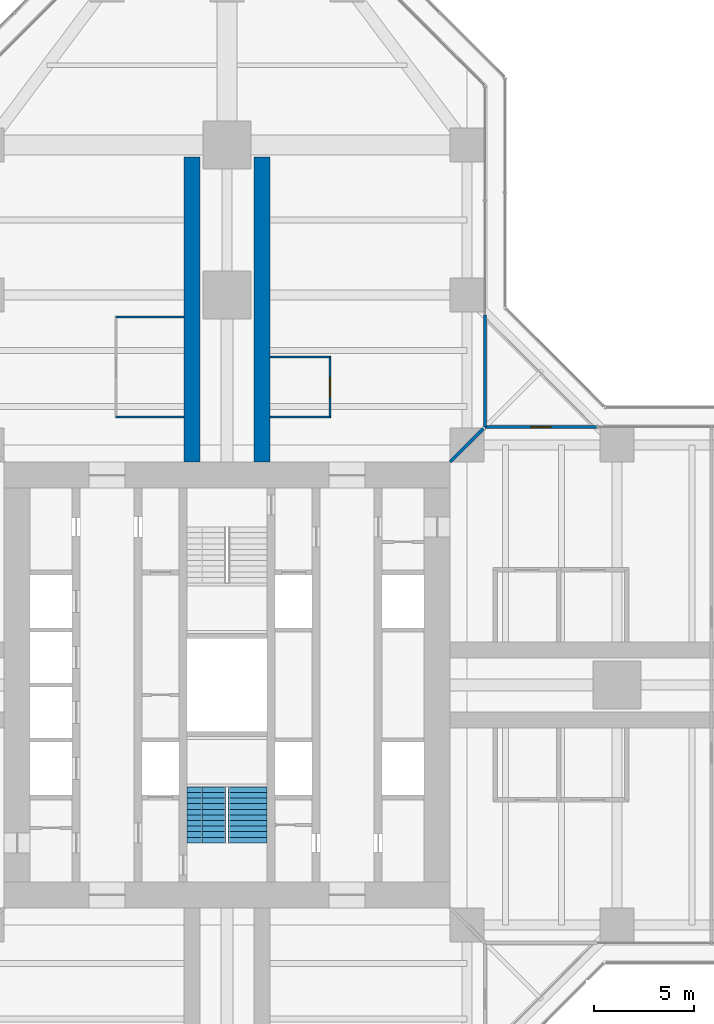
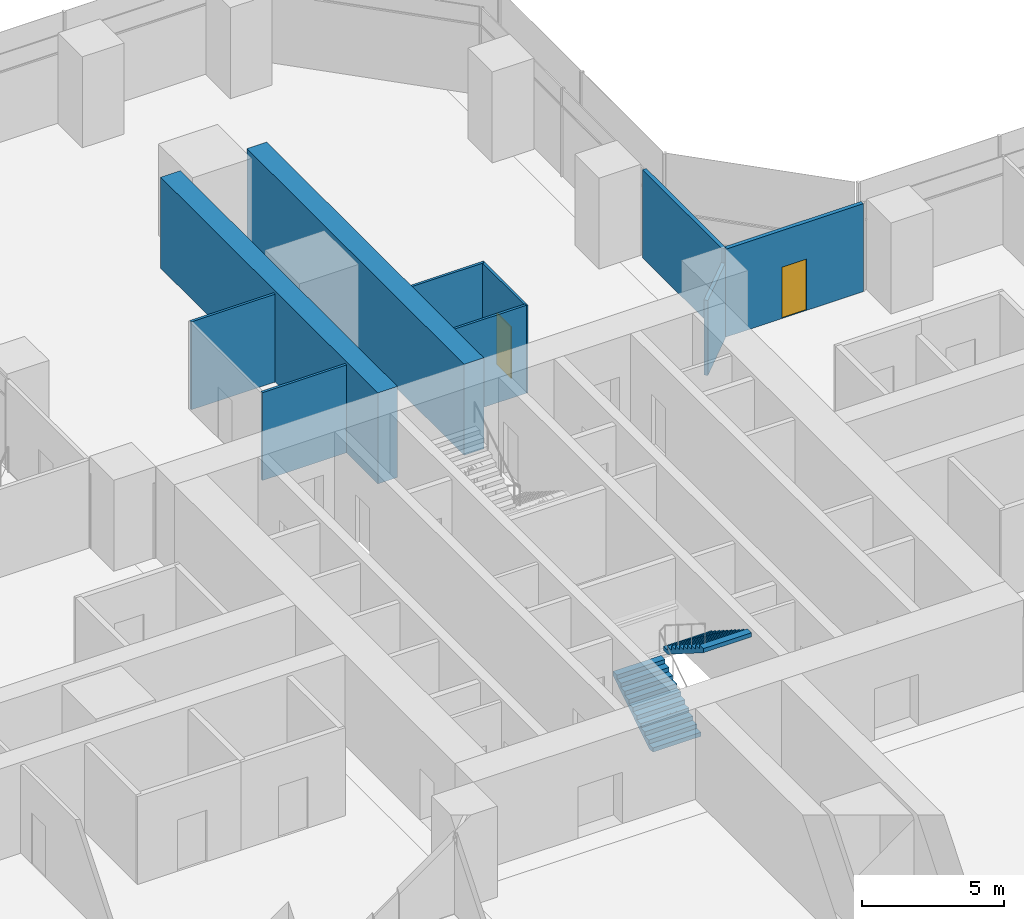
# One storey, part 20 of 22: 10 walls, 2 doors, 2 stair flights, 2 openings, 1 element without a shape of its own.
"""IFC4 building model written with IfcOpenShell, lengths in metres."""

from ifc_helpers import new_model, si_unit, direction, frame, frame_2d, origin, place, context, subcontext, project, spatial, polyline, rectangle, outline, extrude, material, layer, layer_set, type_object, element, fill, aggregate, save


model = new_model("IFC4")

# Units and contexts
model_context = context("Model", 3, precision=1e-05, world=origin(), true_north=direction((0.0, 1.0)))
body_context = subcontext(model_context, "Body", "Model", "MODEL_VIEW")
ifc_project = project(units=[si_unit("LENGTHUNIT", "METRE"), si_unit("AREAUNIT", "SQUARE_METRE"), si_unit("VOLUMEUNIT", "CUBIC_METRE"), si_unit("PLANEANGLEUNIT", "RADIAN"), si_unit("MASSUNIT", "GRAM", prefix="KILO")], contexts=[model_context])

# Site, building, storey
site_placement = place(None, origin())
site = spatial("IfcSite", under=ifc_project, at=site_placement, CompositionType="ELEMENT")
building_placement = place(site_placement, origin())
building = spatial("IfcBuilding", under=site, at=building_placement, Name="Mizan Broadcast Tower", CompositionType="ELEMENT")
storey_placement = place(building_placement, frame((0.0, 0.0, 63.0)))
storey = spatial("IfcBuildingStorey", under=building, at=storey_placement, Name="L12", CompositionType="ELEMENT", Elevation=63.0)

# Wall, opening, door
ifc_material_1 = material(Name="Aluminium framed glazed screen", Category="aluminium")
ifc_layer_1 = layer(ifc_material_1, 0.159912109375)
ifc_layer_set_1 = layer_set([ifc_layer_1], Name="Aluminium framed glazed screen")
wall_type_1 = type_object("IfcWallType", Name="GLAZED SCREEN WALL 160", PredefinedType="SOLIDWALL", material=ifc_layer_set_1)
wall_1_placement = place(storey_placement, frame((18.5, 12.89990234375, 0.0), z_axis=(0.0, 0.0, 1.0), x_axis=(-1.0, 0.0, 0.0)))
wall_1 = element("IfcWall", 1, at=wall_1_placement, inside=storey, type_object=wall_type_1, Name="Winter garden screen L12 E", PredefinedType="SOLIDWALL", context=body_context, shape_type="SweptSolid", body=[
    extrude(rectangle(XDim=5.60009765625, YDim=0.159912109375, at=frame_2d((2.800048828125, 0.0))), origin(), (0.0, 0.0, 1.0), 3.77001953125),
])
opening_1_placement = place(wall_1_placement, frame((2.300048828125, 0.0, 0.0)))
opening_1 = element("IfcOpeningElement", 2, at=opening_1_placement, cuts=wall_1, Name="Opening WGD", PredefinedType="OPENING", context=body_context, shape_type="SweptSolid", body=[
    extrude(rectangle(XDim=1.0, YDim=2.199951171875, at=frame_2d((0.5, 1.10009765625))), frame((0.0, 0.08984375, 0.0), z_axis=(0.0, -1.0, 0.0), x_axis=(1.0, 0.0, 0.0)), (0.0, 0.0, 1.0), 0.179931640625),
])
ifc_material_2 = material(Name="Aluminium framed glazed door", Category="aluminium")
door_type_1 = type_object("IfcDoorType", Name="WINTER GARDEN DOOR 1000 GLAZED", OperationType="SINGLE_SWING_LEFT", PredefinedType="DOOR", material=ifc_material_2)
door_1_placement = place(opening_1_placement, origin())
door_1 = element("IfcDoor", 3, at=door_1_placement, inside=storey, type_object=door_type_1, Name="Winter garden door L12 E", OperationType="SINGLE_SWING_RIGHT", OverallHeight=2.199951171875, OverallWidth=1.0, PredefinedType="DOOR", context=body_context, shape_type="SweptSolid", body=[
    extrude(rectangle(XDim=1.0, YDim=2.199951171875, at=frame_2d((0.5, 1.10009765625))), frame((0.0, 0.02490234375, 0.0), z_axis=(0.0, -1.0, 0.0), x_axis=(1.0, 0.0, 0.0)), (0.0, 0.0, 1.0), 0.050048828125),
])
fill(opening_1, door_1)

# Walls
wall_2_placement = place(storey_placement, frame((12.89990234375, 12.89990234375, 0.0), z_axis=(0.0, 0.0, 1.0), x_axis=(0.0, 1.0, 0.0)))
element("IfcWall", 4, at=wall_2_placement, inside=storey, type_object=wall_type_1, Name="Winter garden screen L12 N", PredefinedType="SOLIDWALL", context=body_context, shape_type="SweptSolid", body=[
    extrude(rectangle(XDim=5.60009765625, YDim=0.159912109375, at=frame_2d((2.800048828125, 0.0))), origin(), (0.0, 0.0, 1.0), 3.77001953125),
])
ifc_material_3 = material(Name="Gypsum board on steel studs", Category="steel")
ifc_layer_2 = layer(ifc_material_3, 0.14990234375)
ifc_layer_set_2 = layer_set([ifc_layer_2], Name="Gypsum board on steel studs")
wall_type_2 = type_object("IfcWallType", Name="PARTITION 150", PredefinedType="PARTITIONING", material=ifc_layer_set_2)
wall_3_placement = place(storey_placement, frame((11.14990234375, 11.14990234375, 0.0), z_axis=(0.0, 0.0, 1.0), x_axis=(0.707106781187, 0.707106781187, 0.0)))
element("IfcWall", 5, at=wall_3_placement, inside=storey, type_object=wall_type_2, Name="Partition PT/DGEN", PredefinedType="PARTITIONING", context=body_context, shape_type="SweptSolid", body=[
    extrude(rectangle(XDim=2.362060546875, YDim=0.14990234375, at=frame_2d((1.18115234375, 0.0))), origin(), (0.0, 0.0, 1.0), 3.219970703125),
])
ifc_material_4 = material(Name="Glazed aluminium partition on aluminium track", Category="aluminium")
ifc_layer_3 = layer(ifc_material_4, 0.10009765625)
ifc_layer_set_3 = layer_set([ifc_layer_3], Name="Glazed aluminium partition on aluminium track")
wall_type_3 = type_object("IfcWallType", Name="PARTITION GLAZED OFFICE FRONT 100", PredefinedType="PARTITIONING", material=ifc_layer_set_3)
for number, where, z_axis, x_axis, name in (
    (6, (-2.14990234375, 13.39990234375, 0.0), (0.0, 0.0, 1.0), (-1.0, 0.0, 0.0), "Glazed office front PT/NKP0a"),
    (7, (-2.14990234375, 18.39990234375, 0.0), (0.0, 0.0, 1.0), (-1.0, 0.0, 0.0), "Glazed office front PT/NKP0b"),
):
    element("IfcWall", number, at=place(storey_placement, frame(where, z_axis=z_axis, x_axis=x_axis)), inside=storey, type_object=wall_type_3, Name=name, PredefinedType="PARTITIONING", context=body_context, shape_type="SweptSolid", body=[
        extrude(rectangle(XDim=3.400146484375, YDim=0.10009765625, at=frame_2d((1.7001953125, 0.0))), origin(), (0.0, 0.0, 1.0), 3.77001953125),
    ])
for number, where, z_axis, x_axis, name in (
    (8, (2.14990234375, 13.39990234375, 0.0), (0.0, 0.0, 1.0), (1.0, 0.0, 0.0), "Glazed office front PT/NKN0a"),
    (9, (2.14990234375, 16.39990234375, 0.0), (0.0, 0.0, 1.0), (1.0, 0.0, 0.0), "Glazed office front PT/NKN0b"),
):
    element("IfcWall", number, at=place(storey_placement, frame(where, z_axis=z_axis, x_axis=x_axis)), inside=storey, type_object=wall_type_3, Name=name, PredefinedType="PARTITIONING", context=body_context, shape_type="SweptSolid", body=[
        extrude(rectangle(XDim=3.0, YDim=0.10009765625, at=frame_2d((1.5, 0.0))), origin(), (0.0, 0.0, 1.0), 3.77001953125),
    ])

# Wall, opening, door
wall_4_placement = place(storey_placement, frame((5.14990234375, 13.35009765625, 0.0), z_axis=(0.0, 0.0, 1.0), x_axis=(0.0, 1.0, 0.0)))
wall_4 = element("IfcWall", 10, at=wall_4_placement, inside=storey, type_object=wall_type_3, Name="Glazed office front PT/NKN0f", PredefinedType="PARTITIONING", context=body_context, shape_type="SweptSolid", body=[
    extrude(rectangle(XDim=3.099853515625, YDim=0.10009765625, at=frame_2d((1.5498046875, 0.0))), origin(), (0.0, 0.0, 1.0), 3.77001953125),
])
opening_2_placement = place(wall_4_placement, frame((1.050048828125, 0.0, 0.0)))
opening_2 = element("IfcOpeningElement", 11, at=opening_2_placement, cuts=wall_4, Name="Opening D10O", PredefinedType="OPENING", context=body_context, shape_type="SweptSolid", body=[
    extrude(rectangle(XDim=1.0, YDim=2.199951171875, at=frame_2d((0.5, 1.10009765625))), frame((0.0, 0.06005859375, 0.0), z_axis=(0.0, -1.0, 0.0), x_axis=(1.0, 0.0, 0.0)), (0.0, 0.0, 1.0), 0.1201171875),
])
ifc_material_5 = material(Name="Timber door leaf in aluminium frame", Category="wood")
door_type_2 = type_object("IfcDoorType", Name="OFFICE DOOR 1000 GLAZED", OperationType="SINGLE_SWING_LEFT", PredefinedType="DOOR", material=ifc_material_5)
door_2_placement = place(opening_2_placement, origin())
door_2 = element("IfcDoor", 12, at=door_2_placement, inside=storey, type_object=door_type_2, Name="Pantry door", OperationType="SINGLE_SWING_LEFT", OverallHeight=2.199951171875, OverallWidth=1.0, PredefinedType="DOOR", context=body_context, shape_type="SweptSolid", body=[
    extrude(rectangle(XDim=1.0, YDim=2.199951171875, at=frame_2d((0.5, 1.10009765625))), frame((0.0, 0.02490234375, 0.0), z_axis=(0.0, -1.0, 0.0), x_axis=(1.0, 0.0, 0.0)), (0.0, 0.0, 1.0), 0.050048828125),
])
fill(opening_2, door_2)

# Walls
ifc_material_6 = material(Name="Concrete C70/85", Category="concrete")
ifc_layer_4 = layer(ifc_material_6, 0.800048828125)
ifc_layer_set_4 = layer_set([ifc_layer_4], Name="Concrete C70/85")
wall_type_4 = type_object("IfcWallType", Name="SPINE WALL 800", PredefinedType="SHEAR", material=ifc_layer_set_4)
for number, where, z_axis, x_axis, name in (
    (13, (1.75, 11.14990234375, 0.0), (0.0, 0.0, 1.0), (0.0, 1.0, 0.0), "Spine wall NR L12"),
    (14, (-1.75, 11.14990234375, 0.0), (0.0, 0.0, 1.0), (0.0, 1.0, 0.0), "Spine wall NL L12"),
):
    element("IfcWall", number, at=place(storey_placement, frame(where, z_axis=z_axis, x_axis=x_axis)), inside=storey, type_object=wall_type_4, Name=name, PredefinedType="SHEAR", context=body_context, shape_type="SweptSolid", body=[
        extrude(rectangle(XDim=15.25, YDim=0.800048828125, at=frame_2d((7.625, 0.0))), origin(), (0.0, 0.0, 1.0), 3.89990234375),
    ])

# Stair, stair flights
ifc_material_7 = material(Name="Concrete C40/50", Category="concrete")
stair_type = type_object("IfcStairType", Name="EXIT STAIR", PredefinedType="HALF_TURN_STAIR", material=ifc_material_7)
stair_placement = place(storey_placement, origin())
stair = element("IfcStair", 15, at=stair_placement, inside=storey, type_object=stair_type, Name="Stair A L12", PredefinedType="HALF_TURN_STAIR")
ifc_material_8 = material(Name="Concrete C40/50", Category="concrete")
stair_flight_type = type_object("IfcStairFlightType", Name="EXIT STAIR FLIGHT", PredefinedType="STRAIGHT", material=ifc_material_8)
stair_flight_1_placement = place(storey_placement, frame((-1.02490234375, -7.89990234375, 0.0), z_axis=(0.0, 0.0, 1.0), x_axis=(0.0, 1.0, 0.0)))
stair_flight_1 = element("IfcStairFlight", 16, at=stair_flight_1_placement, type_object=stair_flight_type, Name="A flight 1", NumberOfRisers=11, NumberOfTreads=10, PredefinedType="STRAIGHT", RiserHeight=0.177272727, TreadLength=0.28, context=body_context, shape_type="SweptSolid", body=[
    extrude(outline(polyline([(0.0, 0.0), (0.0, 0.17724609375), (0.280029296875, 0.17724609375), (0.280029296875, 0.3544921875), (0.56005859375, 0.3544921875), (0.56005859375, 0.53173828125), (0.840087890625, 0.53173828125), (0.840087890625, 0.708984375), (1.1201171875, 0.708984375), (1.1201171875, 0.886474609375), (1.39990234375, 0.886474609375), (1.39990234375, 1.063720703125), (1.679931640625, 1.063720703125), (1.679931640625, 1.240966796875), (1.9599609375, 1.240966796875), (1.9599609375, 1.418212890625), (2.239990234375, 1.418212890625), (2.239990234375, 1.595458984375), (2.52001953125, 1.595458984375), (2.52001953125, 1.772705078125), (2.800048828125, 1.772705078125), (2.800048828125, 1.949951171875), (2.800048828125, 1.59521484375), (0.2802734375, 0.0), (0.0, 0.0)])), frame((0.0, 0.97509765625, 0.0), z_axis=(0.0, -1.0, 0.0), x_axis=(1.0, 0.0, 0.0)), (0.0, 0.0, 1.0), 0.4873046875),
    extrude(outline(polyline([(0.0, 0.0), (0.0, 0.17724609375), (0.280029296875, 0.17724609375), (0.280029296875, 0.3544921875), (0.56005859375, 0.3544921875), (0.56005859375, 0.53173828125), (0.840087890625, 0.53173828125), (0.840087890625, 0.708984375), (1.1201171875, 0.708984375), (1.1201171875, 0.886474609375), (1.39990234375, 0.886474609375), (1.39990234375, 1.063720703125), (1.679931640625, 1.063720703125), (1.679931640625, 1.240966796875), (1.9599609375, 1.240966796875), (1.9599609375, 1.418212890625), (2.239990234375, 1.418212890625), (2.239990234375, 1.595458984375), (2.52001953125, 1.595458984375), (2.52001953125, 1.772705078125), (2.800048828125, 1.772705078125), (2.800048828125, 1.949951171875), (2.800048828125, 1.59521484375), (0.2802734375, 0.0), (0.0, 0.0)])), frame((0.0, 0.4873046875, 0.0), z_axis=(0.0, -1.0, 0.0), x_axis=(1.0, 0.0, 0.0)), (0.0, 0.0, 1.0), 0.2431640625),
    extrude(outline(polyline([(0.0, 0.0), (0.0, 0.17724609375), (0.280029296875, 0.17724609375), (0.280029296875, 0.3544921875), (0.56005859375, 0.3544921875), (0.56005859375, 0.53173828125), (0.840087890625, 0.53173828125), (0.840087890625, 0.708984375), (1.1201171875, 0.708984375), (1.1201171875, 0.886474609375), (1.39990234375, 0.886474609375), (1.39990234375, 1.063720703125), (1.679931640625, 1.063720703125), (1.679931640625, 1.240966796875), (1.9599609375, 1.240966796875), (1.9599609375, 1.418212890625), (2.239990234375, 1.418212890625), (2.239990234375, 1.595458984375), (2.52001953125, 1.595458984375), (2.52001953125, 1.772705078125), (2.800048828125, 1.772705078125), (2.800048828125, 1.949951171875), (2.800048828125, 1.59521484375), (0.2802734375, 0.0), (0.0, 0.0)])), frame((0.0, 0.24365234375, 0.0), z_axis=(0.0, -1.0, 0.0), x_axis=(1.0, 0.0, 0.0)), (0.0, 0.0, 1.0), 0.121337890625),
    extrude(outline(polyline([(0.0, 0.0), (0.0, 0.17724609375), (0.280029296875, 0.17724609375), (0.280029296875, 0.3544921875), (0.56005859375, 0.3544921875), (0.56005859375, 0.53173828125), (0.840087890625, 0.53173828125), (0.840087890625, 0.708984375), (1.1201171875, 0.708984375), (1.1201171875, 0.886474609375), (1.39990234375, 0.886474609375), (1.39990234375, 1.063720703125), (1.679931640625, 1.063720703125), (1.679931640625, 1.240966796875), (1.9599609375, 1.240966796875), (1.9599609375, 1.418212890625), (2.239990234375, 1.418212890625), (2.239990234375, 1.595458984375), (2.52001953125, 1.595458984375), (2.52001953125, 1.772705078125), (2.800048828125, 1.772705078125), (2.800048828125, 1.949951171875), (2.800048828125, 1.59521484375), (0.2802734375, 0.0), (0.0, 0.0)])), frame((0.0, 0.121826171875, 0.0), z_axis=(0.0, -1.0, 0.0), x_axis=(1.0, 0.0, 0.0)), (0.0, 0.0, 1.0), 0.060546875),
    extrude(outline(polyline([(0.0, 0.0), (0.0, 0.17724609375), (0.280029296875, 0.17724609375), (0.280029296875, 0.3544921875), (0.56005859375, 0.3544921875), (0.56005859375, 0.53173828125), (0.840087890625, 0.53173828125), (0.840087890625, 0.708984375), (1.1201171875, 0.708984375), (1.1201171875, 0.886474609375), (1.39990234375, 0.886474609375), (1.39990234375, 1.063720703125), (1.679931640625, 1.063720703125), (1.679931640625, 1.240966796875), (1.9599609375, 1.240966796875), (1.9599609375, 1.418212890625), (2.239990234375, 1.418212890625), (2.239990234375, 1.595458984375), (2.52001953125, 1.595458984375), (2.52001953125, 1.772705078125), (2.800048828125, 1.772705078125), (2.800048828125, 1.949951171875), (2.800048828125, 1.59521484375), (0.2802734375, 0.0), (0.0, 0.0)])), frame((0.0, 0.060791015625, 0.0), z_axis=(0.0, -1.0, 0.0), x_axis=(1.0, 0.0, 0.0)), (0.0, 0.0, 1.0), 0.030029296875),
    extrude(outline(polyline([(0.0, 0.0), (0.0, 0.17724609375), (0.280029296875, 0.17724609375), (0.280029296875, 0.3544921875), (0.56005859375, 0.3544921875), (0.56005859375, 0.53173828125), (0.840087890625, 0.53173828125), (0.840087890625, 0.708984375), (1.1201171875, 0.708984375), (1.1201171875, 0.886474609375), (1.39990234375, 0.886474609375), (1.39990234375, 1.063720703125), (1.679931640625, 1.063720703125), (1.679931640625, 1.240966796875), (1.9599609375, 1.240966796875), (1.9599609375, 1.418212890625), (2.239990234375, 1.418212890625), (2.239990234375, 1.595458984375), (2.52001953125, 1.595458984375), (2.52001953125, 1.772705078125), (2.800048828125, 1.772705078125), (2.800048828125, 1.949951171875), (2.800048828125, 1.59521484375), (0.2802734375, 0.0), (0.0, 0.0)])), frame((0.0, 0.0302734375, 0.0), z_axis=(0.0, -1.0, 0.0), x_axis=(1.0, 0.0, 0.0)), (0.0, 0.0, 1.0), 0.060302734375),
    extrude(outline(polyline([(0.0, 0.0), (0.0, 0.17724609375), (0.280029296875, 0.17724609375), (0.280029296875, 0.3544921875), (0.56005859375, 0.3544921875), (0.56005859375, 0.53173828125), (0.840087890625, 0.53173828125), (0.840087890625, 0.708984375), (1.1201171875, 0.708984375), (1.1201171875, 0.886474609375), (1.39990234375, 0.886474609375), (1.39990234375, 1.063720703125), (1.679931640625, 1.063720703125), (1.679931640625, 1.240966796875), (1.9599609375, 1.240966796875), (1.9599609375, 1.418212890625), (2.239990234375, 1.418212890625), (2.239990234375, 1.595458984375), (2.52001953125, 1.595458984375), (2.52001953125, 1.772705078125), (2.800048828125, 1.772705078125), (2.800048828125, 1.949951171875), (2.800048828125, 1.59521484375), (0.2802734375, 0.0), (0.0, 0.0)])), frame((0.0, -0.030517578125, 0.0), z_axis=(0.0, -1.0, 0.0), x_axis=(1.0, 0.0, 0.0)), (0.0, 0.0, 1.0), 0.030029296875),
    extrude(outline(polyline([(0.0, 0.0), (0.0, 0.17724609375), (0.280029296875, 0.17724609375), (0.280029296875, 0.3544921875), (0.56005859375, 0.3544921875), (0.56005859375, 0.53173828125), (0.840087890625, 0.53173828125), (0.840087890625, 0.708984375), (1.1201171875, 0.708984375), (1.1201171875, 0.886474609375), (1.39990234375, 0.886474609375), (1.39990234375, 1.063720703125), (1.679931640625, 1.063720703125), (1.679931640625, 1.240966796875), (1.9599609375, 1.240966796875), (1.9599609375, 1.418212890625), (2.239990234375, 1.418212890625), (2.239990234375, 1.595458984375), (2.52001953125, 1.595458984375), (2.52001953125, 1.772705078125), (2.800048828125, 1.772705078125), (2.800048828125, 1.949951171875), (2.800048828125, 1.59521484375), (0.2802734375, 0.0), (0.0, 0.0)])), frame((0.0, -0.06103515625, 0.0), z_axis=(0.0, -1.0, 0.0), x_axis=(1.0, 0.0, 0.0)), (0.0, 0.0, 1.0), 0.060546875),
    extrude(outline(polyline([(0.0, 0.0), (0.0, 0.17724609375), (0.280029296875, 0.17724609375), (0.280029296875, 0.3544921875), (0.56005859375, 0.3544921875), (0.56005859375, 0.53173828125), (0.840087890625, 0.53173828125), (0.840087890625, 0.708984375), (1.1201171875, 0.708984375), (1.1201171875, 0.886474609375), (1.39990234375, 0.886474609375), (1.39990234375, 1.063720703125), (1.679931640625, 1.063720703125), (1.679931640625, 1.240966796875), (1.9599609375, 1.240966796875), (1.9599609375, 1.418212890625), (2.239990234375, 1.418212890625), (2.239990234375, 1.595458984375), (2.52001953125, 1.595458984375), (2.52001953125, 1.772705078125), (2.800048828125, 1.772705078125), (2.800048828125, 1.949951171875), (2.800048828125, 1.59521484375), (0.2802734375, 0.0), (0.0, 0.0)])), frame((0.0, -0.1220703125, 0.0), z_axis=(0.0, -1.0, 0.0), x_axis=(1.0, 0.0, 0.0)), (0.0, 0.0, 1.0), 0.121337890625),
    extrude(outline(polyline([(0.0, 0.0), (0.0, 0.17724609375), (0.280029296875, 0.17724609375), (0.280029296875, 0.3544921875), (0.56005859375, 0.3544921875), (0.56005859375, 0.53173828125), (0.840087890625, 0.53173828125), (0.840087890625, 0.708984375), (1.1201171875, 0.708984375), (1.1201171875, 0.886474609375), (1.39990234375, 0.886474609375), (1.39990234375, 1.063720703125), (1.679931640625, 1.063720703125), (1.679931640625, 1.240966796875), (1.9599609375, 1.240966796875), (1.9599609375, 1.418212890625), (2.239990234375, 1.418212890625), (2.239990234375, 1.595458984375), (2.52001953125, 1.595458984375), (2.52001953125, 1.772705078125), (2.800048828125, 1.772705078125), (2.800048828125, 1.949951171875), (2.800048828125, 1.59521484375), (0.2802734375, 0.0), (0.0, 0.0)])), frame((0.0, -0.243896484375, 0.0), z_axis=(0.0, -1.0, 0.0), x_axis=(1.0, 0.0, 0.0)), (0.0, 0.0, 1.0), 0.2431640625),
    extrude(outline(polyline([(0.0, 0.0), (0.0, 0.17724609375), (0.280029296875, 0.17724609375), (0.280029296875, 0.3544921875), (0.56005859375, 0.3544921875), (0.56005859375, 0.53173828125), (0.840087890625, 0.53173828125), (0.840087890625, 0.708984375), (1.1201171875, 0.708984375), (1.1201171875, 0.886474609375), (1.39990234375, 0.886474609375), (1.39990234375, 1.063720703125), (1.679931640625, 1.063720703125), (1.679931640625, 1.240966796875), (1.9599609375, 1.240966796875), (1.9599609375, 1.418212890625), (2.239990234375, 1.418212890625), (2.239990234375, 1.595458984375), (2.52001953125, 1.595458984375), (2.52001953125, 1.772705078125), (2.800048828125, 1.772705078125), (2.800048828125, 1.949951171875), (2.800048828125, 1.59521484375), (0.2802734375, 0.0), (0.0, 0.0)])), frame((0.0, -0.487548828125, 0.0), z_axis=(0.0, -1.0, 0.0), x_axis=(1.0, 0.0, 0.0)), (0.0, 0.0, 1.0), 0.4873046875),
])
stair_flight_2_placement = place(storey_placement, frame((1.02490234375, -5.10009765625, 1.949951171875), z_axis=(0.0, 0.0, 1.0), x_axis=(0.0, -1.0, 0.0)))
stair_flight_2 = element("IfcStairFlight", 17, at=stair_flight_2_placement, type_object=stair_flight_type, Name="A flight 2", NumberOfRisers=11, NumberOfTreads=10, PredefinedType="STRAIGHT", RiserHeight=0.177272727, TreadLength=0.28, context=body_context, shape_type="SweptSolid", body=[
    extrude(outline(polyline([(0.0, 0.0), (0.0, 0.17724609375), (0.280029296875, 0.17724609375), (0.280029296875, 0.3544921875), (0.56005859375, 0.3544921875), (0.56005859375, 0.53173828125), (0.840087890625, 0.53173828125), (0.840087890625, 0.708984375), (1.1201171875, 0.708984375), (1.1201171875, 0.886474609375), (1.39990234375, 0.886474609375), (1.39990234375, 1.063720703125), (1.679931640625, 1.063720703125), (1.679931640625, 1.240966796875), (1.9599609375, 1.240966796875), (1.9599609375, 1.418212890625), (2.239990234375, 1.418212890625), (2.239990234375, 1.595458984375), (2.52001953125, 1.595458984375), (2.52001953125, 1.772705078125), (2.800048828125, 1.772705078125), (2.800048828125, 1.949951171875), (2.800048828125, 1.59521484375), (0.2802734375, 0.0), (0.0, 0.0)])), frame((0.0, 0.97509765625, 0.0), z_axis=(0.0, -1.0, 0.0), x_axis=(1.0, 0.0, 0.0)), (0.0, 0.0, 1.0), 0.4873046875),
    extrude(outline(polyline([(0.0, 0.0), (0.0, 0.17724609375), (0.280029296875, 0.17724609375), (0.280029296875, 0.3544921875), (0.56005859375, 0.3544921875), (0.56005859375, 0.53173828125), (0.840087890625, 0.53173828125), (0.840087890625, 0.708984375), (1.1201171875, 0.708984375), (1.1201171875, 0.886474609375), (1.39990234375, 0.886474609375), (1.39990234375, 1.063720703125), (1.679931640625, 1.063720703125), (1.679931640625, 1.240966796875), (1.9599609375, 1.240966796875), (1.9599609375, 1.418212890625), (2.239990234375, 1.418212890625), (2.239990234375, 1.595458984375), (2.52001953125, 1.595458984375), (2.52001953125, 1.772705078125), (2.800048828125, 1.772705078125), (2.800048828125, 1.949951171875), (2.800048828125, 1.59521484375), (0.2802734375, 0.0), (0.0, 0.0)])), frame((0.0, 0.4873046875, 0.0), z_axis=(0.0, -1.0, 0.0), x_axis=(1.0, 0.0, 0.0)), (0.0, 0.0, 1.0), 0.2431640625),
    extrude(outline(polyline([(0.0, 0.0), (0.0, 0.17724609375), (0.280029296875, 0.17724609375), (0.280029296875, 0.3544921875), (0.56005859375, 0.3544921875), (0.56005859375, 0.53173828125), (0.840087890625, 0.53173828125), (0.840087890625, 0.708984375), (1.1201171875, 0.708984375), (1.1201171875, 0.886474609375), (1.39990234375, 0.886474609375), (1.39990234375, 1.063720703125), (1.679931640625, 1.063720703125), (1.679931640625, 1.240966796875), (1.9599609375, 1.240966796875), (1.9599609375, 1.418212890625), (2.239990234375, 1.418212890625), (2.239990234375, 1.595458984375), (2.52001953125, 1.595458984375), (2.52001953125, 1.772705078125), (2.800048828125, 1.772705078125), (2.800048828125, 1.949951171875), (2.800048828125, 1.59521484375), (0.2802734375, 0.0), (0.0, 0.0)])), frame((0.0, 0.24365234375, 0.0), z_axis=(0.0, -1.0, 0.0), x_axis=(1.0, 0.0, 0.0)), (0.0, 0.0, 1.0), 0.121337890625),
    extrude(outline(polyline([(0.0, 0.0), (0.0, 0.17724609375), (0.280029296875, 0.17724609375), (0.280029296875, 0.3544921875), (0.56005859375, 0.3544921875), (0.56005859375, 0.53173828125), (0.840087890625, 0.53173828125), (0.840087890625, 0.708984375), (1.1201171875, 0.708984375), (1.1201171875, 0.886474609375), (1.39990234375, 0.886474609375), (1.39990234375, 1.063720703125), (1.679931640625, 1.063720703125), (1.679931640625, 1.240966796875), (1.9599609375, 1.240966796875), (1.9599609375, 1.418212890625), (2.239990234375, 1.418212890625), (2.239990234375, 1.595458984375), (2.52001953125, 1.595458984375), (2.52001953125, 1.772705078125), (2.800048828125, 1.772705078125), (2.800048828125, 1.949951171875), (2.800048828125, 1.59521484375), (0.2802734375, 0.0), (0.0, 0.0)])), frame((0.0, 0.121826171875, 0.0), z_axis=(0.0, -1.0, 0.0), x_axis=(1.0, 0.0, 0.0)), (0.0, 0.0, 1.0), 0.060546875),
    extrude(outline(polyline([(0.0, 0.0), (0.0, 0.17724609375), (0.280029296875, 0.17724609375), (0.280029296875, 0.3544921875), (0.56005859375, 0.3544921875), (0.56005859375, 0.53173828125), (0.840087890625, 0.53173828125), (0.840087890625, 0.708984375), (1.1201171875, 0.708984375), (1.1201171875, 0.886474609375), (1.39990234375, 0.886474609375), (1.39990234375, 1.063720703125), (1.679931640625, 1.063720703125), (1.679931640625, 1.240966796875), (1.9599609375, 1.240966796875), (1.9599609375, 1.418212890625), (2.239990234375, 1.418212890625), (2.239990234375, 1.595458984375), (2.52001953125, 1.595458984375), (2.52001953125, 1.772705078125), (2.800048828125, 1.772705078125), (2.800048828125, 1.949951171875), (2.800048828125, 1.59521484375), (0.2802734375, 0.0), (0.0, 0.0)])), frame((0.0, 0.060791015625, 0.0), z_axis=(0.0, -1.0, 0.0), x_axis=(1.0, 0.0, 0.0)), (0.0, 0.0, 1.0), 0.030029296875),
    extrude(outline(polyline([(0.0, 0.0), (0.0, 0.17724609375), (0.280029296875, 0.17724609375), (0.280029296875, 0.3544921875), (0.56005859375, 0.3544921875), (0.56005859375, 0.53173828125), (0.840087890625, 0.53173828125), (0.840087890625, 0.708984375), (1.1201171875, 0.708984375), (1.1201171875, 0.886474609375), (1.39990234375, 0.886474609375), (1.39990234375, 1.063720703125), (1.679931640625, 1.063720703125), (1.679931640625, 1.240966796875), (1.9599609375, 1.240966796875), (1.9599609375, 1.418212890625), (2.239990234375, 1.418212890625), (2.239990234375, 1.595458984375), (2.52001953125, 1.595458984375), (2.52001953125, 1.772705078125), (2.800048828125, 1.772705078125), (2.800048828125, 1.949951171875), (2.800048828125, 1.59521484375), (0.2802734375, 0.0), (0.0, 0.0)])), frame((0.0, 0.0302734375, 0.0), z_axis=(0.0, -1.0, 0.0), x_axis=(1.0, 0.0, 0.0)), (0.0, 0.0, 1.0), 0.060302734375),
    extrude(outline(polyline([(0.0, 0.0), (0.0, 0.17724609375), (0.280029296875, 0.17724609375), (0.280029296875, 0.3544921875), (0.56005859375, 0.3544921875), (0.56005859375, 0.53173828125), (0.840087890625, 0.53173828125), (0.840087890625, 0.708984375), (1.1201171875, 0.708984375), (1.1201171875, 0.886474609375), (1.39990234375, 0.886474609375), (1.39990234375, 1.063720703125), (1.679931640625, 1.063720703125), (1.679931640625, 1.240966796875), (1.9599609375, 1.240966796875), (1.9599609375, 1.418212890625), (2.239990234375, 1.418212890625), (2.239990234375, 1.595458984375), (2.52001953125, 1.595458984375), (2.52001953125, 1.772705078125), (2.800048828125, 1.772705078125), (2.800048828125, 1.949951171875), (2.800048828125, 1.59521484375), (0.2802734375, 0.0), (0.0, 0.0)])), frame((0.0, -0.030517578125, 0.0), z_axis=(0.0, -1.0, 0.0), x_axis=(1.0, 0.0, 0.0)), (0.0, 0.0, 1.0), 0.030029296875),
    extrude(outline(polyline([(0.0, 0.0), (0.0, 0.17724609375), (0.280029296875, 0.17724609375), (0.280029296875, 0.3544921875), (0.56005859375, 0.3544921875), (0.56005859375, 0.53173828125), (0.840087890625, 0.53173828125), (0.840087890625, 0.708984375), (1.1201171875, 0.708984375), (1.1201171875, 0.886474609375), (1.39990234375, 0.886474609375), (1.39990234375, 1.063720703125), (1.679931640625, 1.063720703125), (1.679931640625, 1.240966796875), (1.9599609375, 1.240966796875), (1.9599609375, 1.418212890625), (2.239990234375, 1.418212890625), (2.239990234375, 1.595458984375), (2.52001953125, 1.595458984375), (2.52001953125, 1.772705078125), (2.800048828125, 1.772705078125), (2.800048828125, 1.949951171875), (2.800048828125, 1.59521484375), (0.2802734375, 0.0), (0.0, 0.0)])), frame((0.0, -0.06103515625, 0.0), z_axis=(0.0, -1.0, 0.0), x_axis=(1.0, 0.0, 0.0)), (0.0, 0.0, 1.0), 0.060546875),
    extrude(outline(polyline([(0.0, 0.0), (0.0, 0.17724609375), (0.280029296875, 0.17724609375), (0.280029296875, 0.3544921875), (0.56005859375, 0.3544921875), (0.56005859375, 0.53173828125), (0.840087890625, 0.53173828125), (0.840087890625, 0.708984375), (1.1201171875, 0.708984375), (1.1201171875, 0.886474609375), (1.39990234375, 0.886474609375), (1.39990234375, 1.063720703125), (1.679931640625, 1.063720703125), (1.679931640625, 1.240966796875), (1.9599609375, 1.240966796875), (1.9599609375, 1.418212890625), (2.239990234375, 1.418212890625), (2.239990234375, 1.595458984375), (2.52001953125, 1.595458984375), (2.52001953125, 1.772705078125), (2.800048828125, 1.772705078125), (2.800048828125, 1.949951171875), (2.800048828125, 1.59521484375), (0.2802734375, 0.0), (0.0, 0.0)])), frame((0.0, -0.1220703125, 0.0), z_axis=(0.0, -1.0, 0.0), x_axis=(1.0, 0.0, 0.0)), (0.0, 0.0, 1.0), 0.121337890625),
    extrude(outline(polyline([(0.0, 0.0), (0.0, 0.17724609375), (0.280029296875, 0.17724609375), (0.280029296875, 0.3544921875), (0.56005859375, 0.3544921875), (0.56005859375, 0.53173828125), (0.840087890625, 0.53173828125), (0.840087890625, 0.708984375), (1.1201171875, 0.708984375), (1.1201171875, 0.886474609375), (1.39990234375, 0.886474609375), (1.39990234375, 1.063720703125), (1.679931640625, 1.063720703125), (1.679931640625, 1.240966796875), (1.9599609375, 1.240966796875), (1.9599609375, 1.418212890625), (2.239990234375, 1.418212890625), (2.239990234375, 1.595458984375), (2.52001953125, 1.595458984375), (2.52001953125, 1.772705078125), (2.800048828125, 1.772705078125), (2.800048828125, 1.949951171875), (2.800048828125, 1.59521484375), (0.2802734375, 0.0), (0.0, 0.0)])), frame((0.0, -0.243896484375, 0.0), z_axis=(0.0, -1.0, 0.0), x_axis=(1.0, 0.0, 0.0)), (0.0, 0.0, 1.0), 0.2431640625),
    extrude(outline(polyline([(0.0, 0.0), (0.0, 0.17724609375), (0.280029296875, 0.17724609375), (0.280029296875, 0.3544921875), (0.56005859375, 0.3544921875), (0.56005859375, 0.53173828125), (0.840087890625, 0.53173828125), (0.840087890625, 0.708984375), (1.1201171875, 0.708984375), (1.1201171875, 0.886474609375), (1.39990234375, 0.886474609375), (1.39990234375, 1.063720703125), (1.679931640625, 1.063720703125), (1.679931640625, 1.240966796875), (1.9599609375, 1.240966796875), (1.9599609375, 1.418212890625), (2.239990234375, 1.418212890625), (2.239990234375, 1.595458984375), (2.52001953125, 1.595458984375), (2.52001953125, 1.772705078125), (2.800048828125, 1.772705078125), (2.800048828125, 1.949951171875), (2.800048828125, 1.59521484375), (0.2802734375, 0.0), (0.0, 0.0)])), frame((0.0, -0.487548828125, 0.0), z_axis=(0.0, -1.0, 0.0), x_axis=(1.0, 0.0, 0.0)), (0.0, 0.0, 1.0), 0.4873046875),
])
aggregate(stair, [stair_flight_1, stair_flight_2])

save(model, "model.ifc")
